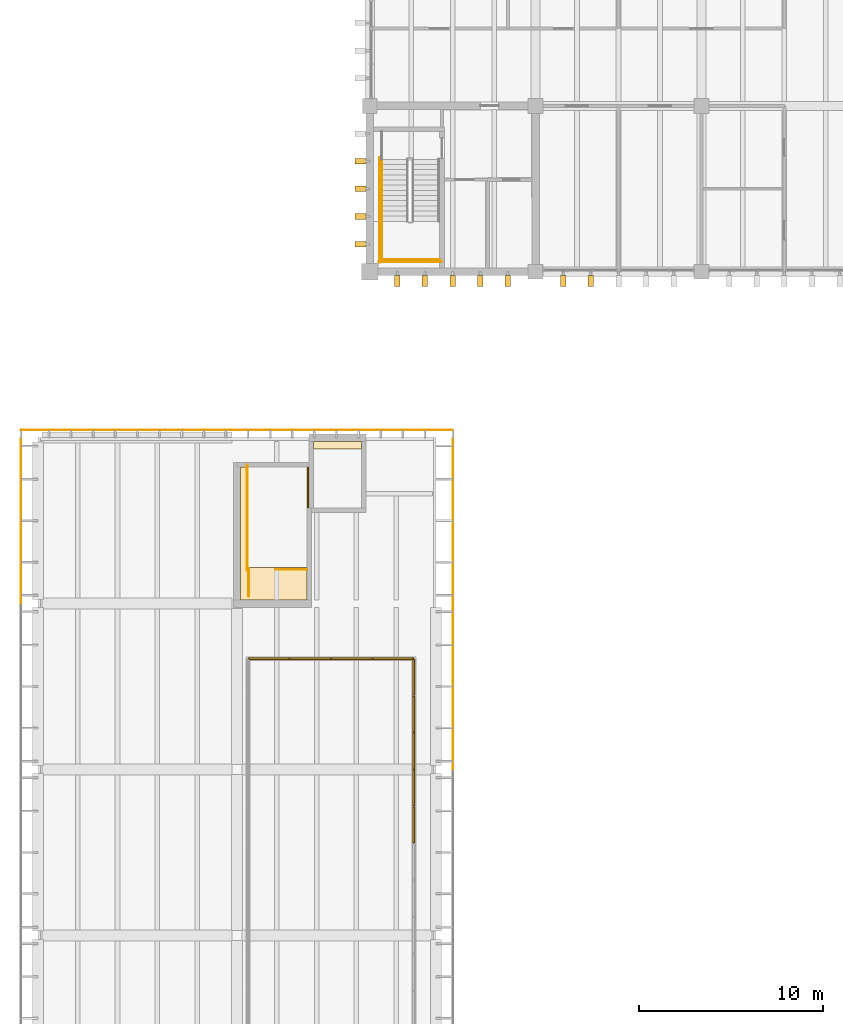
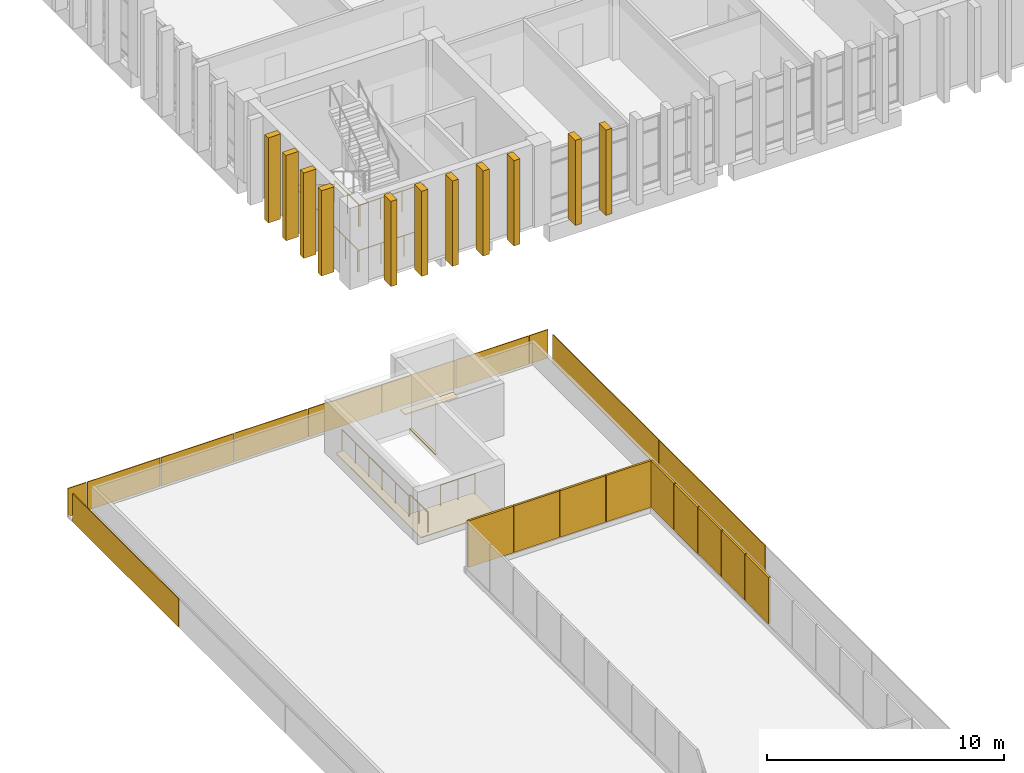
# One storey, part 25 of 29: 20 shading devices, 14 coverings, 8 railings.
"""IFC4 building model written with IfcOpenShell, lengths in metres."""

from ifc_helpers import new_model, si_unit, direction, frame, origin, origin_2d, place, context, subcontext, project, spatial, polyline, rectangle, circle, outline, extrude, source, transform, mapped, material, layer, layer_set, type_object, element, save


model = new_model("IFC4")

# Units and contexts
model_context = context("Model", 3, precision=1e-05, world=origin(), true_north=direction((0.0, 1.0)))
body_context = subcontext(model_context, "Body", "Model", "MODEL_VIEW")
ifc_project = project(units=[si_unit("LENGTHUNIT", "METRE"), si_unit("AREAUNIT", "SQUARE_METRE"), si_unit("VOLUMEUNIT", "CUBIC_METRE"), si_unit("PLANEANGLEUNIT", "RADIAN"), si_unit("MASSUNIT", "GRAM", prefix="KILO")], contexts=[model_context])

# Site, building, storey
site_placement = place(None, origin())
site = spatial("IfcSite", under=ifc_project, at=site_placement, CompositionType="ELEMENT")
building_placement = place(site_placement, origin())
building = spatial("IfcBuilding", under=site, at=building_placement, Name="Merrow Basin Faculty of Sciences", CompositionType="ELEMENT")
storey_placement = place(building_placement, frame((0.0, 0.0, 22.5)))
storey = spatial("IfcBuildingStorey", under=building, at=storey_placement, Name="L05", CompositionType="ELEMENT", Elevation=22.5)

# Shading devices
ifc_material_1 = material(Name="Aluminium alloy 6063", Category="aluminium")
ifc_layer_1 = layer(ifc_material_1, 0.10009765625)
ifc_layer_set_1 = layer_set([ifc_layer_1], Name="Louvre screen 2000 x 2400")
shading_device_type_1 = type_object("IfcShadingDeviceType", Name="Louvre screen 2000 x 2400", PredefinedType="USERDEFINED", material=ifc_layer_set_1)
for number, where, z_axis, x_axis, name in (
    (1, (20.39990234375, 112.0, 0.300048828125), (0.0, 0.0, 1.0), (0.0, 1.0, 0.0), "Plant louvre screen"),
    (2, (20.39990234375, 114.0, 0.300048828125), (0.0, 0.0, 1.0), (0.0, 1.0, 0.0), "Plant louvre screen"),
    (3, (20.39990234375, 116.0, 0.300048828125), (0.0, 0.0, 1.0), (0.0, 1.0, 0.0), "Plant louvre screen"),
    (4, (20.39990234375, 118.0, 0.300048828125), (0.0, 0.0, 1.0), (0.0, 1.0, 0.0), "Plant louvre screen"),
    (5, (20.39990234375, 120.0, 0.300048828125), (0.0, 0.0, 1.0), (0.0, 1.0, 0.0), "Plant louvre screen"),
):
    element("IfcShadingDevice", number, at=place(storey_placement, frame(where, z_axis=z_axis, x_axis=x_axis)), inside=storey, type_object=shading_device_type_1, Name=name, ObjectType="LOUVRE SCREEN", PredefinedType="USERDEFINED", context=body_context, shape_type="SweptSolid", body=[
        extrude(rectangle(XDim=1.9599609375, YDim=0.10009765625, at=origin_2d()), origin(), (0.0, 0.0, 1.0), 2.39990234375),
    ])
for number, where, z_axis, x_axis, name in (
    (6, (19.27490234375, 121.0, 0.300048828125), (0.0, 0.0, 1.0), (1.0, 0.0, 0.0), "Plant louvre screen"),
    (7, (17.02490234375, 121.0, 0.300048828125), (0.0, 0.0, 1.0), (1.0, 0.0, 0.0), "Plant louvre screen"),
    (8, (14.77490234375, 121.0, 0.300048828125), (0.0, 0.0, 1.0), (1.0, 0.0, 0.0), "Plant louvre screen"),
    (9, (12.52490234375, 121.0, 0.300048828125), (0.0, 0.0, 1.0), (1.0, 0.0, 0.0), "Plant louvre screen"),
):
    element("IfcShadingDevice", number, at=place(storey_placement, frame(where, z_axis=z_axis, x_axis=x_axis)), inside=storey, type_object=shading_device_type_1, Name=name, ObjectType="LOUVRE SCREEN", PredefinedType="USERDEFINED", context=body_context, shape_type="SweptSolid", body=[
        extrude(rectangle(XDim=2.2099609375, YDim=0.10009765625, at=origin_2d()), origin(), (0.0, 0.0, 1.0), 2.39990234375),
    ])

# Coverings
ifc_material_2 = material(Name="Bituminous roofing membrane")
ifc_layer_2 = layer(ifc_material_2, 0.0400390625)
ifc_layer_set_2 = layer_set([ifc_layer_2], Name="Roofing membrane 40")
covering_type_1 = type_object("IfcCoveringType", Name="Roofing membrane 40", PredefinedType="ROOFING", material=ifc_layer_set_2)
covering_1_placement = place(storey_placement, origin())
element("IfcCovering", 10, at=covering_1_placement, inside=storey, type_object=covering_type_1, Name="Roofing membrane", PredefinedType="ROOFING", context=body_context, shape_type="SweptSolid", body=[
    extrude(outline(polyline([(11.39990234375, 131.39990234375), (11.39990234375, 125.949951171875), (14.60009765625, 125.949951171875), (14.60009765625, 124.199951171875), (11.0, 124.199951171875), (11.0, 131.39990234375), (11.39990234375, 131.39990234375)])), origin(), (0.0, 0.0, 1.0), 0.0400390625),
])
covering_2_placement = place(storey_placement, origin())
element("IfcCovering", 11, at=covering_2_placement, inside=storey, type_object=covering_type_1, Name="Roofing membrane", PredefinedType="ROOFING", context=body_context, shape_type="SweptSolid", body=[
    extrude(outline(polyline([(14.949951171875, 132.800048828125), (17.550048828125, 132.800048828125), (17.550048828125, 132.39990234375), (14.949951171875, 132.39990234375), (14.949951171875, 132.800048828125)])), origin(), (0.0, 0.0, 1.0), 0.0400390625),
])
covering_3_placement = place(storey_placement, origin())
element("IfcCovering", 12, at=covering_3_placement, inside=storey, type_object=covering_type_1, Name="Roofing membrane", PredefinedType="ROOFING", context=body_context, shape_type="SweptSolid", body=[
    extrude(outline(polyline([(14.60009765625, 129.199951171875), (14.60009765625, 131.39990234375), (14.699951171875, 131.39990234375), (14.699951171875, 129.199951171875), (14.60009765625, 129.199951171875)])), origin(), (0.0, 0.0, 1.0), 0.0400390625),
])

# Railings
ifc_material_3 = material(Name="Steel ASTM A36", Category="steel")
railing_type_1 = type_object("IfcRailingType", Name="Steel guard 1100", PredefinedType="GUARDRAIL", material=ifc_material_3)
railing_1_placement = place(storey_placement, frame((14.60009765625, 125.85009765625, 0.0)))
element("IfcRailing", 13, at=railing_1_placement, inside=storey, type_object=railing_type_1, Name="L05 ST-V4-N top well guard 1", PredefinedType="GUARDRAIL", context=body_context, shape_type="SweptSolid", body=[
    extrude(circle(Radius=0.02392578125, at=origin_2d()), frame((0.0, 0.0, 1.076171875), z_axis=(-1.0, 0.0, 0.0), x_axis=(0.0, -1.0, 0.0)), (0.0, 0.0, 1.0), 1.7001953125),
    extrude(circle(Radius=0.02099609375, at=origin_2d()), origin(), (0.0, 0.0, 1.0), 1.052001953125),
    extrude(circle(Radius=0.02099609375, at=origin_2d()), frame((-0.85009765625, 0.0, 0.0)), (0.0, 0.0, 1.0), 1.052001953125),
    extrude(circle(Radius=0.02099609375, at=origin_2d()), frame((-1.7001953125, 0.0, 0.0)), (0.0, 0.0, 1.0), 1.052001953125),
])
railing_2_placement = place(storey_placement, frame((11.35009765625, 125.800048828125, 0.0)))
element("IfcRailing", 14, at=railing_2_placement, inside=storey, type_object=railing_type_1, Name="L05 ST-V4-N top well guard 2", PredefinedType="GUARDRAIL", context=body_context, shape_type="SweptSolid", body=[
    extrude(circle(Radius=0.02392578125, at=origin_2d()), frame((0.0, 0.0, 1.076171875), z_axis=(0.0, 1.0, 0.0), x_axis=(-1.0, 0.0, 0.0)), (0.0, 0.0, 1.0), 5.699951171875),
    extrude(circle(Radius=0.02099609375, at=origin_2d()), origin(), (0.0, 0.0, 1.0), 1.052001953125),
    extrude(circle(Radius=0.02099609375, at=origin_2d()), frame((0.0, 1.139892578125, 0.0)), (0.0, 0.0, 1.0), 1.052001953125),
    extrude(circle(Radius=0.02099609375, at=origin_2d()), frame((0.0, 2.280029296875, 0.0)), (0.0, 0.0, 1.0), 1.052001953125),
    extrude(circle(Radius=0.02099609375, at=origin_2d()), frame((0.0, 3.419921875, 0.0)), (0.0, 0.0, 1.0), 1.052001953125),
    extrude(circle(Radius=0.02099609375, at=origin_2d()), frame((0.0, 4.56005859375, 0.0)), (0.0, 0.0, 1.0), 1.052001953125),
    extrude(circle(Radius=0.02099609375, at=origin_2d()), frame((0.0, 5.699951171875, 0.0)), (0.0, 0.0, 1.0), 1.052001953125),
])
railing_3_placement = place(storey_placement, frame((11.449951171875, 124.39990234375, 0.0)))
element("IfcRailing", 15, at=railing_3_placement, inside=storey, type_object=railing_type_1, Name="L05 ST-V4-N top well guard 3", PredefinedType="GUARDRAIL", context=body_context, shape_type="SweptSolid", body=[
    extrude(circle(Radius=0.02392578125, at=origin_2d()), frame((0.0, 0.0, 1.076171875), z_axis=(0.0, 1.0, 0.0), x_axis=(-1.0, 0.0, 0.0)), (0.0, 0.0, 1.0), 1.5),
    extrude(circle(Radius=0.02099609375, at=origin_2d()), origin(), (0.0, 0.0, 1.0), 1.052001953125),
    extrude(circle(Radius=0.02099609375, at=origin_2d()), frame((0.0, 0.75, 0.0)), (0.0, 0.0, 1.0), 1.052001953125),
    extrude(circle(Radius=0.02099609375, at=origin_2d()), frame((0.0, 1.5, 0.0)), (0.0, 0.0, 1.0), 1.052001953125),
])
railing_4_placement = place(storey_placement, frame((18.64990234375, 144.739990234375, 2.25)))
element("IfcRailing", 16, at=railing_4_placement, inside=storey, type_object=railing_type_1, Name="L05 ST-V5-W stair guard 3", PredefinedType="GUARDRAIL", context=body_context, shape_type="SweptSolid", body=[
    extrude(circle(Radius=0.02392578125, at=origin_2d()), frame((0.0, 0.0, 1.076171875), z_axis=(0.0, -1.0, 0.0), x_axis=(1.0, 0.0, 0.0)), (0.0, 0.0, 1.0), 2.139892578125),
    extrude(circle(Radius=0.02099609375, at=origin_2d()), origin(), (0.0, 0.0, 1.0), 1.052001953125),
    extrude(circle(Radius=0.02099609375, at=origin_2d()), frame((0.0, -1.06982421875, 0.0)), (0.0, 0.0, 1.0), 1.052001953125),
    extrude(circle(Radius=0.02099609375, at=origin_2d()), frame((0.0, -2.139892578125, 0.0)), (0.0, 0.0, 1.0), 1.052001953125),
])
railing_5_placement = place(storey_placement, frame((18.60009765625, 142.64990234375, 2.25)))
element("IfcRailing", 17, at=railing_5_placement, inside=storey, type_object=railing_type_1, Name="L05 ST-V5-W stair guard 4", PredefinedType="GUARDRAIL", context=body_context, shape_type="SweptSolid", body=[
    extrude(circle(Radius=0.02392578125, at=origin_2d()), frame((0.0, 0.0, 1.076171875), z_axis=(1.0, 0.0, 0.0), x_axis=(0.0, 1.0, 0.0)), (0.0, 0.0, 1.0), 3.199951171875),
    extrude(circle(Radius=0.02099609375, at=origin_2d()), origin(), (0.0, 0.0, 1.0), 1.052001953125),
    extrude(circle(Radius=0.02099609375, at=origin_2d()), frame((1.066650390625, 0.0, 0.0)), (0.0, 0.0, 1.0), 1.052001953125),
    extrude(circle(Radius=0.02099609375, at=origin_2d()), frame((2.13330078125, 0.0, 0.0)), (0.0, 0.0, 1.0), 1.052001953125),
    extrude(circle(Radius=0.02099609375, at=origin_2d()), frame((3.199951171875, 0.0, 0.0)), (0.0, 0.0, 1.0), 1.052001953125),
])
railing_6_placement = place(storey_placement, frame((18.550048828125, 148.199951171875, 0.0)))
element("IfcRailing", 18, at=railing_6_placement, inside=storey, type_object=railing_type_1, Name="L05 ST-V5-W stair guard 8", PredefinedType="GUARDRAIL", context=body_context, shape_type="SweptSolid", body=[
    extrude(circle(Radius=0.02392578125, at=origin_2d()), frame((0.0, 0.0, 1.076171875), z_axis=(0.0, -1.0, 0.0), x_axis=(1.0, 0.0, 0.0)), (0.0, 0.0, 1.0), 5.699951171875),
    extrude(circle(Radius=0.02099609375, at=origin_2d()), origin(), (0.0, 0.0, 1.0), 1.052001953125),
    extrude(circle(Radius=0.02099609375, at=origin_2d()), frame((0.0, -1.139892578125, 0.0)), (0.0, 0.0, 1.0), 1.052001953125),
    extrude(circle(Radius=0.02099609375, at=origin_2d()), frame((0.0, -2.280029296875, 0.0)), (0.0, 0.0, 1.0), 1.052001953125),
    extrude(circle(Radius=0.02099609375, at=origin_2d()), frame((0.0, -3.419921875, 0.0)), (0.0, 0.0, 1.0), 1.052001953125),
    extrude(circle(Radius=0.02099609375, at=origin_2d()), frame((0.0, -4.56005859375, 0.0)), (0.0, 0.0, 1.0), 1.052001953125),
    extrude(circle(Radius=0.02099609375, at=origin_2d()), frame((0.0, -5.699951171875, 0.0)), (0.0, 0.0, 1.0), 1.052001953125),
])
railing_7_placement = place(storey_placement, frame((18.5, 142.550048828125, 0.0)))
element("IfcRailing", 19, at=railing_7_placement, inside=storey, type_object=railing_type_1, Name="L05 ST-V5-W stair guard 9", PredefinedType="GUARDRAIL", context=body_context, shape_type="SweptSolid", body=[
    extrude(circle(Radius=0.02392578125, at=origin_2d()), frame((0.0, 0.0, 1.076171875), z_axis=(1.0, 0.0, 0.0), x_axis=(0.0, 1.0, 0.0)), (0.0, 0.0, 1.0), 3.39990234375),
    extrude(circle(Radius=0.02099609375, at=origin_2d()), origin(), (0.0, 0.0, 1.0), 1.052001953125),
    extrude(circle(Radius=0.02099609375, at=origin_2d()), frame((1.13330078125, 0.0, 0.0)), (0.0, 0.0, 1.0), 1.052001953125),
    extrude(circle(Radius=0.02099609375, at=origin_2d()), frame((2.2666015625, 0.0, 0.0)), (0.0, 0.0, 1.0), 1.052001953125),
    extrude(circle(Radius=0.02099609375, at=origin_2d()), frame((3.39990234375, 0.0, 0.0)), (0.0, 0.0, 1.0), 1.052001953125),
])
ifc_material_4 = material(Name="Steel ASTM A36", Category="steel")
railing_type_2 = type_object("IfcRailingType", Name="Steel handrail 900", PredefinedType="HANDRAIL", material=ifc_material_4)
railing_8_placement = place(storey_placement, frame((18.64990234375, 148.10009765625, 0.173095703125)))
element("IfcRailing", 20, at=railing_8_placement, inside=storey, type_object=railing_type_2, Name="L05 ST-V5-W stair handrail 1", PredefinedType="HANDRAIL", context=body_context, shape_type="SweptSolid", body=[
    extrude(circle(Radius=0.02392578125, at=origin_2d()), frame((0.0, 0.0, 0.8759765625), z_axis=(0.0, -0.850623216509, 0.525775754039), x_axis=(1.0, 0.0, 0.0)), (0.0, 0.0, 1.0), 3.9501953125),
    extrude(circle(Radius=0.02099609375, at=origin_2d()), origin(), (0.0, 0.0, 1.0), 0.851806640625),
    extrude(circle(Radius=0.02099609375, at=origin_2d()), frame((0.0, -0.840087890625, 0.519287109375)), (0.0, 0.0, 1.0), 0.851806640625),
    extrude(circle(Radius=0.02099609375, at=origin_2d()), frame((0.0, -1.68017578125, 1.03857421875)), (0.0, 0.0, 1.0), 0.851806640625),
    extrude(circle(Radius=0.02099609375, at=origin_2d()), frame((0.0, -2.52001953125, 1.5576171875)), (0.0, 0.0, 1.0), 0.851806640625),
    extrude(circle(Radius=0.02099609375, at=origin_2d()), frame((0.0, -3.360107421875, 2.076904296875)), (0.0, 0.0, 1.0), 0.851806640625),
])

# Coverings
ifc_material_5 = material(Name="White powder-coated aluminium", Category="aluminium")
ifc_layer_3 = layer(ifc_material_5, 0.0400390625)
ifc_layer_set_3 = layer_set([ifc_layer_3], Name="Perforated panel 9000 x 1500")
covering_type_2 = type_object("IfcCoveringType", Name="Perforated panel 9000 x 1500", PredefinedType="CLADDING", material=ifc_layer_set_3)
shared_shape_1 = source(origin(), body_context, "Body", "SweptSolid", [
    extrude(outline(polyline([(0.02001953125, 0.02001953125), (8.97998046875, 0.02001953125), (8.97998046875, 1.47998046875), (0.02001953125, 1.47998046875), (0.02001953125, 0.02001953125)])), origin(), (0.0, 0.0, 1.0), 0.0400390625),
])
covering_4_placement = place(storey_placement, frame((22.5400390625, 124.0, -0.320068359375), z_axis=(-1.0, 0.0, 0.0), x_axis=(0.0, -1.0, 0.0)))
element("IfcCovering", 21, at=covering_4_placement, inside=storey, type_object=covering_type_2, Name="Perforated panel EL05-07", PredefinedType="CLADDING", context=body_context, shape_type="MappedRepresentation", body=[
    mapped(shared_shape_1, transform((0.0, 0.0, 0.0), scale=1.0)),
])
shared_shape_2 = source(origin(), body_context, "Body", "SweptSolid", [
    extrude(outline(polyline([(0.02001953125, 0.02001953125), (8.97998046875, 0.02001953125), (8.97998046875, 1.47998046875), (0.02001953125, 1.47998046875), (0.02001953125, 0.02001953125)])), origin(), (0.0, 0.0, 1.0), 0.0400390625),
])
covering_5_placement = place(storey_placement, frame((-0.93994140625, 124.0, -0.320068359375), z_axis=(1.0, 0.0, 0.0), x_axis=(0.0, 1.0, 0.0)))
element("IfcCovering", 22, at=covering_5_placement, inside=storey, type_object=covering_type_2, Name="Perforated panel WL05-08", PredefinedType="CLADDING", context=body_context, shape_type="MappedRepresentation", body=[
    mapped(shared_shape_2, transform((0.0, 0.0, 0.0), scale=1.0)),
])
shared_shape_3 = source(origin(), body_context, "Body", "SweptSolid", [
    extrude(outline(polyline([(0.02001953125, 0.02001953125), (8.97998046875, 0.02001953125), (8.97998046875, 1.47998046875), (0.02001953125, 1.47998046875), (0.02001953125, 0.02001953125)])), origin(), (0.0, 0.0, 1.0), 0.0400390625),
])
covering_6_placement = place(storey_placement, frame((22.5400390625, 133.0, -0.320068359375), z_axis=(-1.0, 0.0, 0.0), x_axis=(0.0, -1.0, 0.0)))
element("IfcCovering", 23, at=covering_6_placement, inside=storey, type_object=covering_type_2, Name="Perforated panel EL05-08", PredefinedType="CLADDING", context=body_context, shape_type="MappedRepresentation", body=[
    mapped(shared_shape_3, transform((0.0, 0.0, 0.0), scale=1.0)),
])
ifc_material_6 = material(Name="White powder-coated aluminium", Category="aluminium")
ifc_layer_4 = layer(ifc_material_6, 0.0400390625)
ifc_layer_set_4 = layer_set([ifc_layer_4], Name="End corner panel 940 x 1500")
covering_type_3 = type_object("IfcCoveringType", Name="End corner panel 940 x 1500", PredefinedType="CLADDING", material=ifc_layer_set_4)
shared_shape_4 = source(origin(), body_context, "Body", "SweptSolid", [
    extrude(outline(polyline([(0.02001953125, 0.02001953125), (0.919921875, 0.02001953125), (0.919921875, 1.47998046875), (0.02001953125, 1.47998046875), (0.02001953125, 0.02001953125)])), origin(), (0.0, 0.0, 1.0), 0.0400390625),
])
covering_7_placement = place(storey_placement, frame((-0.93994140625, 133.43994140625, -0.320068359375), z_axis=(0.0, -1.0, 0.0), x_axis=(1.0, 0.0, 0.0)))
element("IfcCovering", 24, at=covering_7_placement, inside=storey, type_object=covering_type_3, Name="End panel NL05-01", PredefinedType="CLADDING", context=body_context, shape_type="MappedRepresentation", body=[
    mapped(shared_shape_4, transform((0.0, 0.0, 0.0), scale=1.0)),
])
ifc_material_7 = material(Name="White powder-coated aluminium", Category="aluminium")
ifc_layer_5 = layer(ifc_material_7, 0.0400390625)
ifc_layer_set_5 = layer_set([ifc_layer_5], Name="End panel 3600 x 1500")
covering_type_4 = type_object("IfcCoveringType", Name="End panel 3600 x 1500", PredefinedType="CLADDING", material=ifc_layer_set_5)
shared_shape_5 = source(origin(), body_context, "Body", "SweptSolid", [
    extrude(outline(polyline([(0.02001953125, 0.02001953125), (3.580078125, 0.02001953125), (3.580078125, 1.47998046875), (0.02001953125, 1.47998046875), (0.02001953125, 0.02001953125)])), origin(), (0.0, 0.0, 1.0), 0.0400390625),
])
covering_8_placement = place(storey_placement, frame((0.0, 133.43994140625, -0.320068359375), z_axis=(0.0, -1.0, 0.0), x_axis=(1.0, 0.0, 0.0)))
element("IfcCovering", 25, at=covering_8_placement, inside=storey, type_object=covering_type_4, Name="End panel NL05-02", PredefinedType="CLADDING", context=body_context, shape_type="MappedRepresentation", body=[
    mapped(shared_shape_5, transform((0.0, 0.0, 0.0), scale=1.0)),
])
shared_shape_6 = source(origin(), body_context, "Body", "SweptSolid", [
    extrude(outline(polyline([(0.02001953125, 0.02001953125), (3.580078125, 0.02001953125), (3.580078125, 1.47998046875), (0.02001953125, 1.47998046875), (0.02001953125, 0.02001953125)])), origin(), (0.0, 0.0, 1.0), 0.0400390625),
])
covering_9_placement = place(storey_placement, frame((3.60009765625, 133.43994140625, -0.320068359375), z_axis=(0.0, -1.0, 0.0), x_axis=(1.0, 0.0, 0.0)))
element("IfcCovering", 26, at=covering_9_placement, inside=storey, type_object=covering_type_4, Name="End panel NL05-03", PredefinedType="CLADDING", context=body_context, shape_type="MappedRepresentation", body=[
    mapped(shared_shape_6, transform((0.0, 0.0, 0.0), scale=1.0)),
])
shared_shape_7 = source(origin(), body_context, "Body", "SweptSolid", [
    extrude(outline(polyline([(0.02001953125, 0.02001953125), (3.580078125, 0.02001953125), (3.580078125, 1.47998046875), (0.02001953125, 1.47998046875), (0.02001953125, 0.02001953125)])), origin(), (0.0, 0.0, 1.0), 0.0400390625),
])
covering_10_placement = place(storey_placement, frame((7.199951171875, 133.43994140625, -0.320068359375), z_axis=(0.0, -1.0, 0.0), x_axis=(1.0, 0.0, 0.0)))
element("IfcCovering", 27, at=covering_10_placement, inside=storey, type_object=covering_type_4, Name="End panel NL05-04", PredefinedType="CLADDING", context=body_context, shape_type="MappedRepresentation", body=[
    mapped(shared_shape_7, transform((0.0, 0.0, 0.0), scale=1.0)),
])
shared_shape_8 = source(origin(), body_context, "Body", "SweptSolid", [
    extrude(outline(polyline([(0.02001953125, 0.02001953125), (3.580078125, 0.02001953125), (3.580078125, 1.47998046875), (0.02001953125, 1.47998046875), (0.02001953125, 0.02001953125)])), origin(), (0.0, 0.0, 1.0), 0.0400390625),
])
covering_11_placement = place(storey_placement, frame((10.800048828125, 133.43994140625, -0.320068359375), z_axis=(0.0, -1.0, 0.0), x_axis=(1.0, 0.0, 0.0)))
element("IfcCovering", 28, at=covering_11_placement, inside=storey, type_object=covering_type_4, Name="End panel NL05-05", PredefinedType="CLADDING", context=body_context, shape_type="MappedRepresentation", body=[
    mapped(shared_shape_8, transform((0.0, 0.0, 0.0), scale=1.0)),
])
shared_shape_9 = source(origin(), body_context, "Body", "SweptSolid", [
    extrude(outline(polyline([(0.02001953125, 0.02001953125), (3.580078125, 0.02001953125), (3.580078125, 1.47998046875), (0.02001953125, 1.47998046875), (0.02001953125, 0.02001953125)])), origin(), (0.0, 0.0, 1.0), 0.0400390625),
])
covering_12_placement = place(storey_placement, frame((14.39990234375, 133.43994140625, -0.320068359375), z_axis=(0.0, -1.0, 0.0), x_axis=(1.0, 0.0, 0.0)))
element("IfcCovering", 29, at=covering_12_placement, inside=storey, type_object=covering_type_4, Name="End panel NL05-06", PredefinedType="CLADDING", context=body_context, shape_type="MappedRepresentation", body=[
    mapped(shared_shape_9, transform((0.0, 0.0, 0.0), scale=1.0)),
])
shared_shape_10 = source(origin(), body_context, "Body", "SweptSolid", [
    extrude(outline(polyline([(0.02001953125, 0.02001953125), (3.580078125, 0.02001953125), (3.580078125, 1.47998046875), (0.02001953125, 1.47998046875), (0.02001953125, 0.02001953125)])), origin(), (0.0, 0.0, 1.0), 0.0400390625),
])
covering_13_placement = place(storey_placement, frame((18.0, 133.43994140625, -0.320068359375), z_axis=(0.0, -1.0, 0.0), x_axis=(1.0, 0.0, 0.0)))
element("IfcCovering", 30, at=covering_13_placement, inside=storey, type_object=covering_type_4, Name="End panel NL05-07", PredefinedType="CLADDING", context=body_context, shape_type="MappedRepresentation", body=[
    mapped(shared_shape_10, transform((0.0, 0.0, 0.0), scale=1.0)),
])
shared_shape_11 = source(origin(), body_context, "Body", "SweptSolid", [
    extrude(outline(polyline([(0.02001953125, 0.02001953125), (0.919921875, 0.02001953125), (0.919921875, 1.47998046875), (0.02001953125, 1.47998046875), (0.02001953125, 0.02001953125)])), origin(), (0.0, 0.0, 1.0), 0.0400390625),
])
covering_14_placement = place(storey_placement, frame((21.60009765625, 133.43994140625, -0.320068359375), z_axis=(0.0, -1.0, 0.0), x_axis=(1.0, 0.0, 0.0)))
element("IfcCovering", 31, at=covering_14_placement, inside=storey, type_object=covering_type_3, Name="End panel NL05-08", PredefinedType="CLADDING", context=body_context, shape_type="MappedRepresentation", body=[
    mapped(shared_shape_11, transform((0.0, 0.0, 0.0), scale=1.0)),
])

# Shading devices
ifc_material_8 = material(Name="White precast concrete C50/60", Category="concrete")
shading_device_type_2 = type_object("IfcShadingDeviceType", Name="White precast fin 300 x 600", PredefinedType="USERDEFINED", material=ifc_material_8)
shared_shape_12 = source(origin(), body_context, "Body", "SweptSolid", [
    extrude(outline(polyline([(0.0, 0.0), (0.300048828125, 0.0), (0.300048828125, 4.39990234375), (0.0, 4.39990234375), (0.0, 0.0)])), origin(), (0.0, 0.0, 1.0), 0.60009765625),
])
for number, where, z_axis, x_axis, name in (
    (32, (19.35009765625, 141.800048828125, -0.25), (0.0, -1.0, 0.0), (1.0, 0.0, 0.0), "Brise-soleil fin SL05"),
    (33, (20.85009765625, 141.800048828125, -0.25), (0.0, -1.0, 0.0), (1.0, 0.0, 0.0), "Brise-soleil fin SL05"),
    (34, (22.35009765625, 141.800048828125, -0.25), (0.0, -1.0, 0.0), (1.0, 0.0, 0.0), "Brise-soleil fin SL05"),
    (35, (23.85009765625, 141.800048828125, -0.25), (0.0, -1.0, 0.0), (1.0, 0.0, 0.0), "Brise-soleil fin SL05"),
    (36, (25.35009765625, 141.800048828125, -0.25), (0.0, -1.0, 0.0), (1.0, 0.0, 0.0), "Brise-soleil fin SL05"),
    (37, (28.35009765625, 141.800048828125, -0.25), (0.0, -1.0, 0.0), (1.0, 0.0, 0.0), "Brise-soleil fin SL05"),
    (38, (29.85009765625, 141.800048828125, -0.25), (0.0, -1.0, 0.0), (1.0, 0.0, 0.0), "Brise-soleil fin SL05"),
    (39, (17.800048828125, 143.64990234375, -0.25), (-1.0, 0.0, 0.0), (0.0, -1.0, 0.0), "Brise-soleil fin WL05"),
    (40, (17.800048828125, 145.14990234375, -0.25), (-1.0, 0.0, 0.0), (0.0, -1.0, 0.0), "Brise-soleil fin WL05"),
    (41, (17.800048828125, 146.64990234375, -0.25), (-1.0, 0.0, 0.0), (0.0, -1.0, 0.0), "Brise-soleil fin WL05"),
    (42, (17.800048828125, 148.14990234375, -0.25), (-1.0, 0.0, 0.0), (0.0, -1.0, 0.0), "Brise-soleil fin WL05"),
):
    element("IfcShadingDevice", number, at=place(storey_placement, frame(where, z_axis=z_axis, x_axis=x_axis)), inside=storey, type_object=shading_device_type_2, Name=name, ObjectType="FIN", PredefinedType="USERDEFINED", context=body_context, shape_type="MappedRepresentation", body=[
        mapped(shared_shape_12, transform((0.0, 0.0, 0.0), scale=1.0)),
    ])

save(model, "model.ifc")
